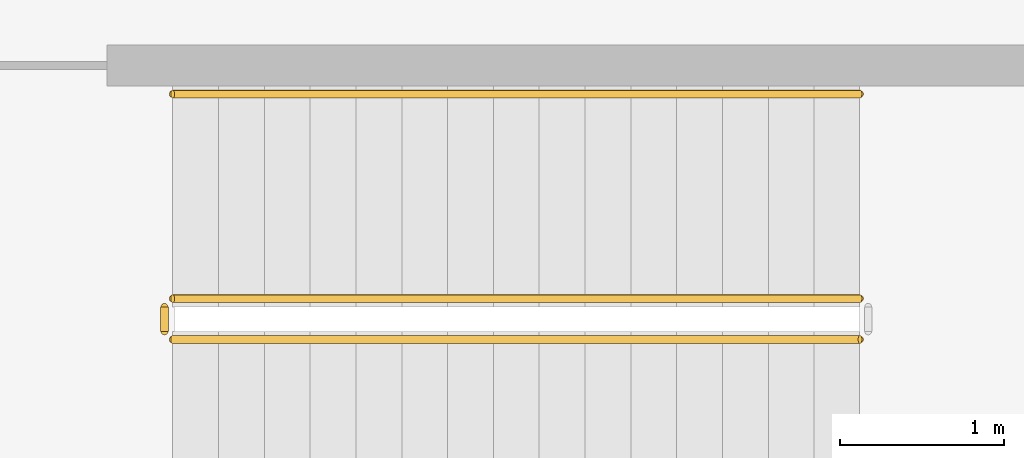
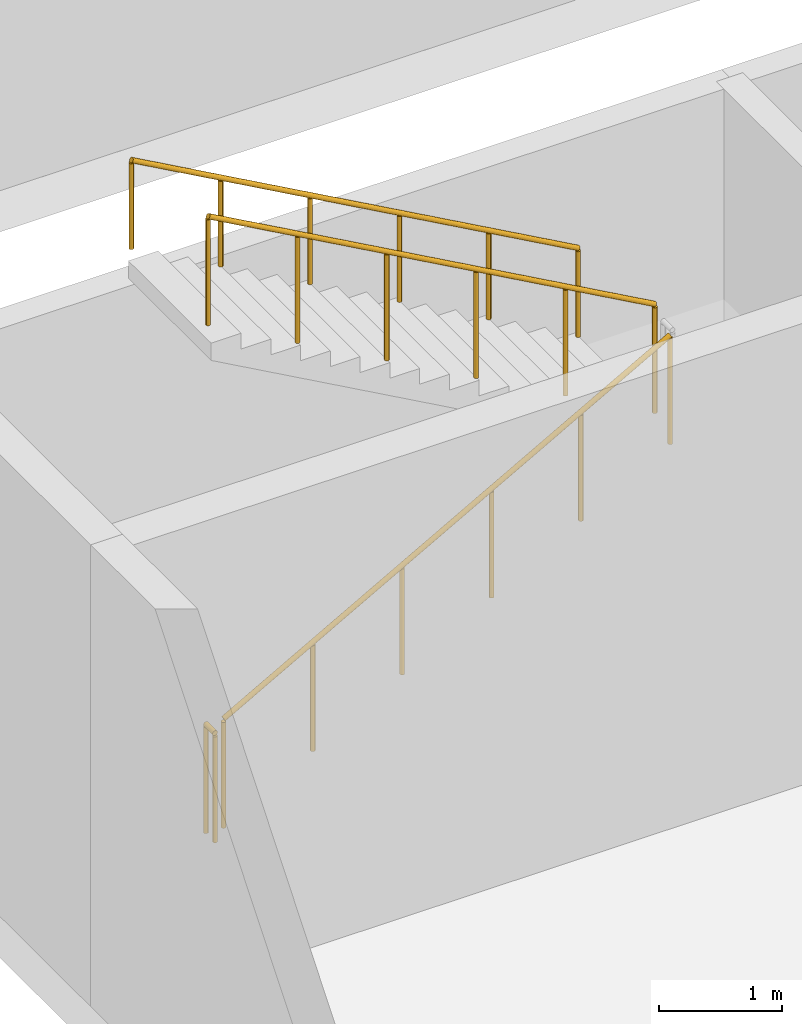
# One storey, part 28 of 36: 4 railings.
"""IFC4 building model written with IfcOpenShell, lengths in metres."""

from ifc_helpers import new_model, si_unit, direction, frame, origin, origin_2d, place, context, subcontext, project, spatial, circle, extrude, material, type_object, element, save


model = new_model("IFC4")

# Units and contexts
model_context = context("Model", 3, precision=1e-05, world=origin(), true_north=direction((0.0, 1.0)))
body_context = subcontext(model_context, "Body", "Model", "MODEL_VIEW")
ifc_project = project(units=[si_unit("LENGTHUNIT", "METRE"), si_unit("AREAUNIT", "SQUARE_METRE"), si_unit("VOLUMEUNIT", "CUBIC_METRE"), si_unit("PLANEANGLEUNIT", "RADIAN"), si_unit("MASSUNIT", "GRAM", prefix="KILO")], contexts=[model_context])

# Site, building, storey
site_placement = place(None, origin())
site = spatial("IfcSite", under=ifc_project, at=site_placement, CompositionType="ELEMENT")
building_placement = place(site_placement, origin())
building = spatial("IfcBuilding", under=site, at=building_placement, Name="Jabali Bay Hotel Tower and Convention Centre", CompositionType="ELEMENT")
storey_placement = place(building_placement, frame((0.0, 0.0, 20.39990234375)))
storey = spatial("IfcBuildingStorey", under=building, at=storey_placement, Name="L03", CompositionType="ELEMENT", Elevation=20.39990234375)

# Railings
ifc_material = material(Name="Stainless steel 304", Category="steel")
railing_type_1 = type_object("IfcRailingType", Name="CC Stair Guard 1100", PredefinedType="GUARDRAIL", material=ifc_material)
railing_1_placement = place(storey_placement, frame((152.10009765625, 101.47509765625, 0.15625)))
element("IfcRailing", 1, at=railing_1_placement, inside=storey, type_object=railing_type_1, Name="L03 CC-STWA stair guard 1", PredefinedType="GUARDRAIL", context=body_context, shape_type="SweptSolid", body=[
    extrude(circle(Radius=0.02392578125, at=origin_2d()), frame((0.0, 0.0, 1.076171875), z_axis=(0.873233870432, 0.0, 0.487301351866), x_axis=(0.0, 1.0, 0.0)), (0.0, 0.0, 1.0), 4.8095703125),
    extrude(circle(Radius=0.02099609375, at=origin_2d()), origin(), (0.0, 0.0, 1.0), 1.052001953125),
    extrude(circle(Radius=0.02099609375, at=origin_2d()), frame((0.840087890625, 0.0, 0.46875)), (0.0, 0.0, 1.0), 1.052001953125),
    extrude(circle(Radius=0.02099609375, at=origin_2d()), frame((1.679931640625, 0.0, 0.9375)), (0.0, 0.0, 1.0), 1.052001953125),
    extrude(circle(Radius=0.02099609375, at=origin_2d()), frame((2.52001953125, 0.0, 1.40625)), (0.0, 0.0, 1.0), 1.052001953125),
    extrude(circle(Radius=0.02099609375, at=origin_2d()), frame((3.35986328125, 0.0, 1.875)), (0.0, 0.0, 1.0), 1.052001953125),
    extrude(circle(Radius=0.02099609375, at=origin_2d()), frame((4.199951171875, 0.0, 2.34375)), (0.0, 0.0, 1.0), 1.052001953125),
])
railing_2_placement = place(storey_placement, frame((156.300048828125, 101.72509765625, 2.65625)))
element("IfcRailing", 2, at=railing_2_placement, inside=storey, type_object=railing_type_1, Name="L03 CC-STWA stair guard 3", PredefinedType="GUARDRAIL", context=body_context, shape_type="SweptSolid", body=[
    extrude(circle(Radius=0.02392578125, at=origin_2d()), frame((0.0, 0.0, 1.076171875), z_axis=(-0.873233870432, 0.0, 0.487301351866), x_axis=(0.0, -1.0, 0.0)), (0.0, 0.0, 1.0), 4.8095703125),
    extrude(circle(Radius=0.02099609375, at=origin_2d()), origin(), (0.0, 0.0, 1.0), 1.052001953125),
    extrude(circle(Radius=0.02099609375, at=origin_2d()), frame((-0.840087890625, 0.0, 0.46875)), (0.0, 0.0, 1.0), 1.052001953125),
    extrude(circle(Radius=0.02099609375, at=origin_2d()), frame((-1.679931640625, 0.0, 0.9375)), (0.0, 0.0, 1.0), 1.052001953125),
    extrude(circle(Radius=0.02099609375, at=origin_2d()), frame((-2.52001953125, 0.0, 1.40625)), (0.0, 0.0, 1.0), 1.052001953125),
    extrude(circle(Radius=0.02099609375, at=origin_2d()), frame((-3.35986328125, 0.0, 1.875)), (0.0, 0.0, 1.0), 1.052001953125),
    extrude(circle(Radius=0.02099609375, at=origin_2d()), frame((-4.199951171875, 0.0, 2.34375)), (0.0, 0.0, 1.0), 1.052001953125),
])
railing_3_placement = place(storey_placement, frame((152.050048828125, 101.52490234375, 0.0)))
element("IfcRailing", 3, at=railing_3_placement, inside=storey, type_object=railing_type_1, Name="L03 CC-STWA stair guard 4", PredefinedType="GUARDRAIL", context=body_context, shape_type="SweptSolid", body=[
    extrude(circle(Radius=0.02392578125, at=origin_2d()), frame((0.0, 0.0, 1.076171875), z_axis=(0.0, 1.0, 0.0), x_axis=(-1.0, 0.0, 0.0)), (0.0, 0.0, 1.0), 0.150146484375),
    extrude(circle(Radius=0.02099609375, at=origin_2d()), origin(), (0.0, 0.0, 1.0), 1.052001953125),
    extrude(circle(Radius=0.02099609375, at=origin_2d()), frame((0.0, 0.150146484375, 0.0)), (0.0, 0.0, 1.0), 1.052001953125),
])
railing_type_2 = type_object("IfcRailingType", Name="CC Stair Handrail 900", PredefinedType="HANDRAIL", material=ifc_material)
railing_4_placement = place(storey_placement, frame((156.300048828125, 102.97509765625, 2.65625)))
element("IfcRailing", 4, at=railing_4_placement, inside=storey, type_object=railing_type_2, Name="L03 CC-STWA stair handrail 2", PredefinedType="HANDRAIL", context=body_context, shape_type="SweptSolid", body=[
    extrude(circle(Radius=0.02392578125, at=origin_2d()), frame((0.0, 0.0, 0.8759765625), z_axis=(-0.873233870432, 0.0, 0.487301351866), x_axis=(0.0, -1.0, 0.0)), (0.0, 0.0, 1.0), 4.8095703125),
    extrude(circle(Radius=0.02099609375, at=origin_2d()), origin(), (0.0, 0.0, 1.0), 0.851806640625),
    extrude(circle(Radius=0.02099609375, at=origin_2d()), frame((-0.840087890625, 0.0, 0.46875)), (0.0, 0.0, 1.0), 0.851806640625),
    extrude(circle(Radius=0.02099609375, at=origin_2d()), frame((-1.679931640625, 0.0, 0.9375)), (0.0, 0.0, 1.0), 0.851806640625),
    extrude(circle(Radius=0.02099609375, at=origin_2d()), frame((-2.52001953125, 0.0, 1.40625)), (0.0, 0.0, 1.0), 0.851806640625),
    extrude(circle(Radius=0.02099609375, at=origin_2d()), frame((-3.35986328125, 0.0, 1.875)), (0.0, 0.0, 1.0), 0.851806640625),
    extrude(circle(Radius=0.02099609375, at=origin_2d()), frame((-4.199951171875, 0.0, 2.34375)), (0.0, 0.0, 1.0), 0.851806640625),
])

save(model, "model.ifc")
